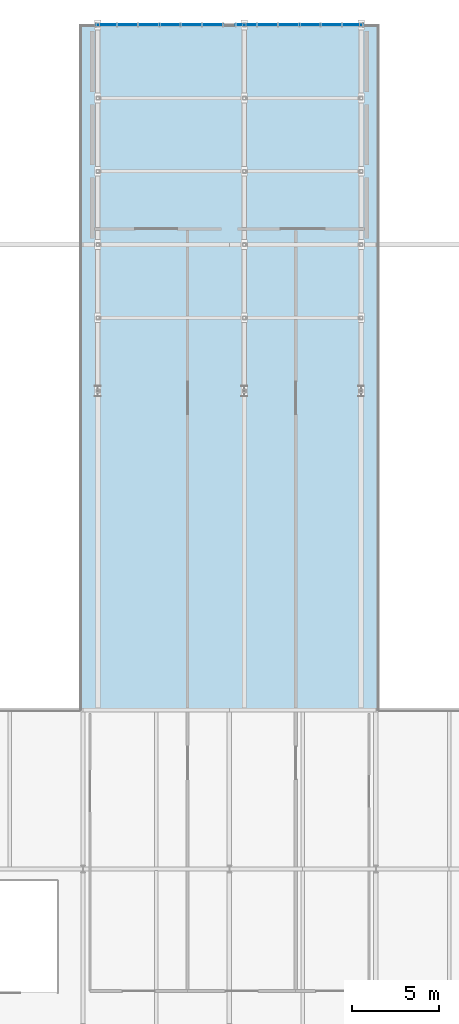
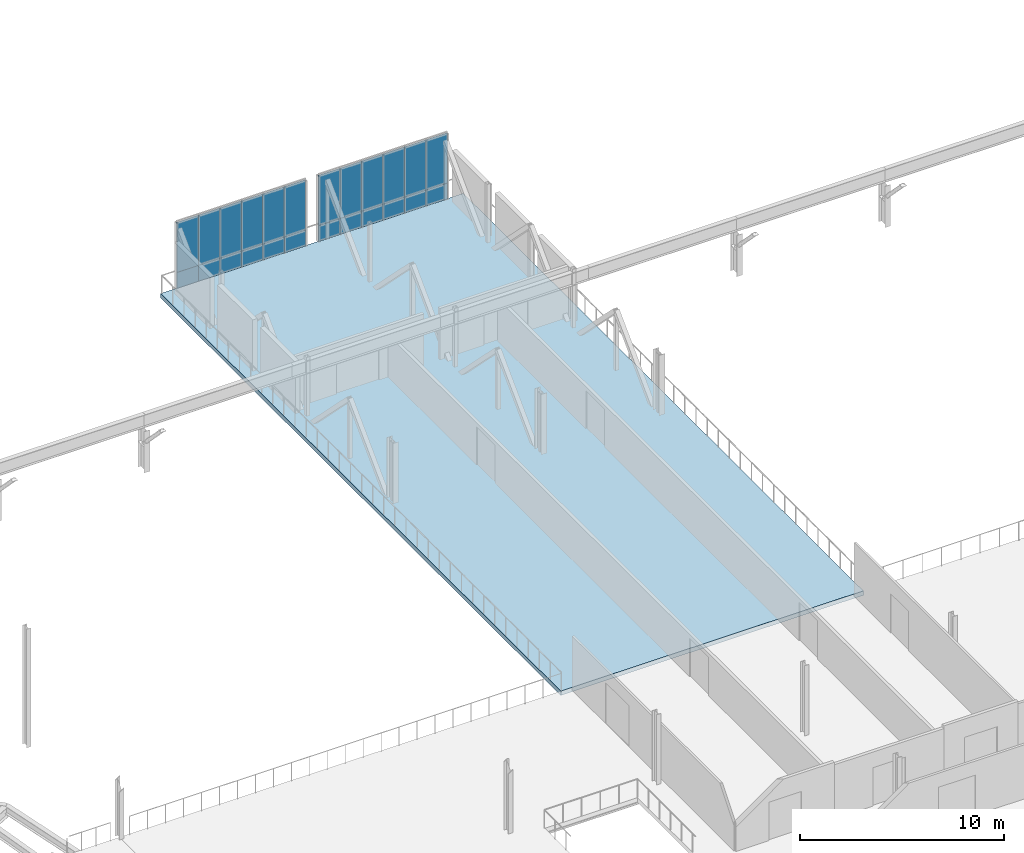
# One storey, part 79 of 107: 24 plates, 1 slab, 2 elements without a shape of their own.
"""IFC4 building model written with IfcOpenShell, lengths in metres."""

from ifc_helpers import new_model, si_unit, derived_unit, direction, frame, origin, origin_2d, place, context, subcontext, project, spatial, polyline, rectangle, outline, extrude, material, layer, layer_set, type_object, element, aggregate, save


model = new_model("IFC4")

# Units and contexts
model_context = context("Model", 3, precision=1e-05, world=origin(), true_north=direction((0.0, 1.0)))
body_context = subcontext(model_context, "Body", "Model", "MODEL_VIEW")
ifc_project = project(units=[si_unit("LENGTHUNIT", "METRE"), si_unit("AREAUNIT", "SQUARE_METRE"), si_unit("VOLUMEUNIT", "CUBIC_METRE"), si_unit("PLANEANGLEUNIT", "RADIAN"), si_unit("MASSUNIT", "GRAM", prefix="KILO"), derived_unit("THERMALTRANSMITTANCEUNIT", [(si_unit("MASSUNIT", "GRAM", prefix="KILO"), 1), (si_unit("TIMEUNIT", "SECOND"), -3), (si_unit("THERMODYNAMICTEMPERATUREUNIT", "KELVIN"), -1)])], contexts=[model_context])

# Site, building, storey
site_placement = place(None, origin())
site = spatial("IfcSite", under=ifc_project, at=site_placement, CompositionType="ELEMENT")
building_placement = place(site_placement, origin())
building = spatial("IfcBuilding", under=site, at=building_placement, Name="Makaiwela Harbour Ferry Terminal", CompositionType="ELEMENT")
storey_placement = place(building_placement, frame((0.0, 0.0, 9.60009765625)))
storey = spatial("IfcBuildingStorey", under=building, at=storey_placement, Name="L02", CompositionType="ELEMENT", Elevation=9.60009765625)

# Curtain wall, plates
ifc_material_1 = material(Name="Marine anodised aluminium 6063-T6", Category="aluminium")
ifc_layer_1 = layer(ifc_material_1, 0.199951171875)
ifc_layer_set_1 = layer_set([ifc_layer_1], Name="Marine anodised aluminium 6063-T6")
curtain_wall_type = type_object("IfcCurtainWallType", Name="ENV-CW-21", PredefinedType="USERDEFINED", material=ifc_layer_set_1)
curtain_wall_1_placement = place(storey_placement, origin())
curtain_wall_1 = element("IfcCurtainWall", 1, at=curtain_wall_1_placement, inside=storey, type_object=curtain_wall_type, Name="Unitised Curtain Wall CWA-134", ObjectType="UNITIZED CURTAIN WALL", PredefinedType="USERDEFINED")
ifc_material_2 = material(Name="Laminated hurricane-impact low-E insulated glazing", Category="glass")
ifc_layer_2 = layer(ifc_material_2, 0.031982421875)
ifc_layer_set_2 = layer_set([ifc_layer_2], Name="Laminated hurricane-impact low-E insulated glazing")
plate_type_1 = type_object("IfcPlateType", Name="CW-PNL-G26", PredefinedType="CURTAIN_PANEL", material=ifc_layer_set_2)
plate_1_placement = place(storey_placement, frame((89.539306640625, 116.0, 0.949951171875), z_axis=(0.0, 0.0, 1.0), x_axis=(1.0, 0.0, 0.0)))
plate_1 = element("IfcPlate", 2, at=plate_1_placement, type_object=plate_type_1, Name="Glazed Vision Panel CWA-134-1G", PredefinedType="CURTAIN_PANEL", context=body_context, shape_type="SweptSolid", body=[
    extrude(rectangle(XDim=1.21826171875, YDim=0.031982421875, at=origin_2d()), origin(), (0.0, 0.0, 1.0), 3.0),
])
plate_2_placement = place(storey_placement, frame((90.757568359375, 116.0, 0.949951171875), z_axis=(0.0, 0.0, 1.0), x_axis=(1.0, 0.0, 0.0)))
plate_2 = element("IfcPlate", 3, at=plate_2_placement, type_object=plate_type_1, Name="Glazed Vision Panel CWA-134-2G", PredefinedType="CURTAIN_PANEL", context=body_context, shape_type="SweptSolid", body=[
    extrude(rectangle(XDim=1.21826171875, YDim=0.031982421875, at=origin_2d()), origin(), (0.0, 0.0, 1.0), 3.0),
])
plate_3_placement = place(storey_placement, frame((91.975830078125, 116.0, 0.949951171875), z_axis=(0.0, 0.0, 1.0), x_axis=(1.0, 0.0, 0.0)))
plate_3 = element("IfcPlate", 4, at=plate_3_placement, type_object=plate_type_1, Name="Glazed Vision Panel CWA-134-3G", PredefinedType="CURTAIN_PANEL", context=body_context, shape_type="SweptSolid", body=[
    extrude(rectangle(XDim=1.21826171875, YDim=0.031982421875, at=origin_2d()), origin(), (0.0, 0.0, 1.0), 3.0),
])
plate_4_placement = place(storey_placement, frame((93.194091796875, 116.0, 0.949951171875), z_axis=(0.0, 0.0, 1.0), x_axis=(1.0, 0.0, 0.0)))
plate_4 = element("IfcPlate", 5, at=plate_4_placement, type_object=plate_type_1, Name="Glazed Vision Panel CWA-134-4G", PredefinedType="CURTAIN_PANEL", context=body_context, shape_type="SweptSolid", body=[
    extrude(rectangle(XDim=1.21826171875, YDim=0.031982421875, at=origin_2d()), origin(), (0.0, 0.0, 1.0), 3.0),
])
plate_5_placement = place(storey_placement, frame((94.41259765625, 116.0, 0.949951171875), z_axis=(0.0, 0.0, 1.0), x_axis=(1.0, 0.0, 0.0)))
plate_5 = element("IfcPlate", 6, at=plate_5_placement, type_object=plate_type_1, Name="Glazed Vision Panel CWA-134-5G", PredefinedType="CURTAIN_PANEL", context=body_context, shape_type="SweptSolid", body=[
    extrude(rectangle(XDim=1.21826171875, YDim=0.031982421875, at=origin_2d()), origin(), (0.0, 0.0, 1.0), 3.0),
])
plate_6_placement = place(storey_placement, frame((95.630859375, 116.0, 0.949951171875), z_axis=(0.0, 0.0, 1.0), x_axis=(1.0, 0.0, 0.0)))
plate_6 = element("IfcPlate", 7, at=plate_6_placement, type_object=plate_type_1, Name="Glazed Vision Panel CWA-134-6G", PredefinedType="CURTAIN_PANEL", context=body_context, shape_type="SweptSolid", body=[
    extrude(rectangle(XDim=1.21826171875, YDim=0.031982421875, at=origin_2d()), origin(), (0.0, 0.0, 1.0), 3.0),
])

curtain_wall_2_placement = place(storey_placement, origin())
curtain_wall_2 = element("IfcCurtainWall", 8, at=curtain_wall_2_placement, inside=storey, type_object=curtain_wall_type, Name="Unitised Curtain Wall CWA-135", ObjectType="UNITIZED CURTAIN WALL", PredefinedType="USERDEFINED")
plate_7_placement = place(storey_placement, frame((97.569091796875, 116.0, 0.949951171875), z_axis=(0.0, 0.0, 1.0), x_axis=(1.0, 0.0, 0.0)))
plate_7 = element("IfcPlate", 9, at=plate_7_placement, type_object=plate_type_1, Name="Glazed Vision Panel CWA-135-1G", PredefinedType="CURTAIN_PANEL", context=body_context, shape_type="SweptSolid", body=[
    extrude(rectangle(XDim=1.21826171875, YDim=0.031982421875, at=origin_2d()), origin(), (0.0, 0.0, 1.0), 3.0),
])
plate_8_placement = place(storey_placement, frame((98.78759765625, 116.0, 0.949951171875), z_axis=(0.0, 0.0, 1.0), x_axis=(1.0, 0.0, 0.0)))
plate_8 = element("IfcPlate", 10, at=plate_8_placement, type_object=plate_type_1, Name="Glazed Vision Panel CWA-135-2G", PredefinedType="CURTAIN_PANEL", context=body_context, shape_type="SweptSolid", body=[
    extrude(rectangle(XDim=1.21826171875, YDim=0.031982421875, at=origin_2d()), origin(), (0.0, 0.0, 1.0), 3.0),
])
plate_9_placement = place(storey_placement, frame((100.005859375, 116.0, 0.949951171875), z_axis=(0.0, 0.0, 1.0), x_axis=(1.0, 0.0, 0.0)))
plate_9 = element("IfcPlate", 11, at=plate_9_placement, type_object=plate_type_1, Name="Glazed Vision Panel CWA-135-3G", PredefinedType="CURTAIN_PANEL", context=body_context, shape_type="SweptSolid", body=[
    extrude(rectangle(XDim=1.21826171875, YDim=0.031982421875, at=origin_2d()), origin(), (0.0, 0.0, 1.0), 3.0),
])
plate_10_placement = place(storey_placement, frame((101.22412109375, 116.0, 0.949951171875), z_axis=(0.0, 0.0, 1.0), x_axis=(1.0, 0.0, 0.0)))
plate_10 = element("IfcPlate", 12, at=plate_10_placement, type_object=plate_type_1, Name="Glazed Vision Panel CWA-135-4G", PredefinedType="CURTAIN_PANEL", context=body_context, shape_type="SweptSolid", body=[
    extrude(rectangle(XDim=1.21826171875, YDim=0.031982421875, at=origin_2d()), origin(), (0.0, 0.0, 1.0), 3.0),
])
plate_11_placement = place(storey_placement, frame((102.4423828125, 116.0, 0.949951171875), z_axis=(0.0, 0.0, 1.0), x_axis=(1.0, 0.0, 0.0)))
plate_11 = element("IfcPlate", 13, at=plate_11_placement, type_object=plate_type_1, Name="Glazed Vision Panel CWA-135-5G", PredefinedType="CURTAIN_PANEL", context=body_context, shape_type="SweptSolid", body=[
    extrude(rectangle(XDim=1.21826171875, YDim=0.031982421875, at=origin_2d()), origin(), (0.0, 0.0, 1.0), 3.0),
])
plate_12_placement = place(storey_placement, frame((103.660888671875, 116.0, 0.949951171875), z_axis=(0.0, 0.0, 1.0), x_axis=(1.0, 0.0, 0.0)))
plate_12 = element("IfcPlate", 14, at=plate_12_placement, type_object=plate_type_1, Name="Glazed Vision Panel CWA-135-6G", PredefinedType="CURTAIN_PANEL", context=body_context, shape_type="SweptSolid", body=[
    extrude(rectangle(XDim=1.21826171875, YDim=0.031982421875, at=origin_2d()), origin(), (0.0, 0.0, 1.0), 3.0),
])

# Plate
ifc_material_3 = material(Name="Insulated marine aluminium spandrel panel", Category="aluminium")
ifc_layer_3 = layer(ifc_material_3, 0.048095703125)
ifc_layer_set_3 = layer_set([ifc_layer_3], Name="Insulated marine aluminium spandrel panel")
plate_type_2 = type_object("IfcPlateType", Name="CW-PNL-S11", PredefinedType="CURTAIN_PANEL", material=ifc_layer_set_3)
plate_13_placement = place(storey_placement, frame((89.539306640625, 116.0, 0.0), z_axis=(0.0, 0.0, 1.0), x_axis=(1.0, 0.0, 0.0)))
plate_13 = element("IfcPlate", 15, at=plate_13_placement, type_object=plate_type_2, Name="Spandrel Panel CWA-134-1S", PredefinedType="CURTAIN_PANEL", context=body_context, shape_type="SweptSolid", body=[
    extrude(rectangle(XDim=1.21826171875, YDim=0.048095703125, at=origin_2d()), origin(), (0.0, 0.0, 1.0), 0.949951171875),
])

plate_14_placement = place(storey_placement, frame((90.757568359375, 116.0, 0.0), z_axis=(0.0, 0.0, 1.0), x_axis=(1.0, 0.0, 0.0)))
plate_14 = element("IfcPlate", 16, at=plate_14_placement, type_object=plate_type_2, Name="Spandrel Panel CWA-134-2S", PredefinedType="CURTAIN_PANEL", context=body_context, shape_type="SweptSolid", body=[
    extrude(rectangle(XDim=1.21826171875, YDim=0.048095703125, at=origin_2d()), origin(), (0.0, 0.0, 1.0), 0.949951171875),
])

plate_15_placement = place(storey_placement, frame((91.975830078125, 116.0, 0.0), z_axis=(0.0, 0.0, 1.0), x_axis=(1.0, 0.0, 0.0)))
plate_15 = element("IfcPlate", 17, at=plate_15_placement, type_object=plate_type_2, Name="Spandrel Panel CWA-134-3S", PredefinedType="CURTAIN_PANEL", context=body_context, shape_type="SweptSolid", body=[
    extrude(rectangle(XDim=1.21826171875, YDim=0.048095703125, at=origin_2d()), origin(), (0.0, 0.0, 1.0), 0.949951171875),
])

plate_16_placement = place(storey_placement, frame((93.194091796875, 116.0, 0.0), z_axis=(0.0, 0.0, 1.0), x_axis=(1.0, 0.0, 0.0)))
plate_16 = element("IfcPlate", 18, at=plate_16_placement, type_object=plate_type_2, Name="Spandrel Panel CWA-134-4S", PredefinedType="CURTAIN_PANEL", context=body_context, shape_type="SweptSolid", body=[
    extrude(rectangle(XDim=1.21826171875, YDim=0.048095703125, at=origin_2d()), origin(), (0.0, 0.0, 1.0), 0.949951171875),
])

plate_17_placement = place(storey_placement, frame((94.41259765625, 116.0, 0.0), z_axis=(0.0, 0.0, 1.0), x_axis=(1.0, 0.0, 0.0)))
plate_17 = element("IfcPlate", 19, at=plate_17_placement, type_object=plate_type_2, Name="Spandrel Panel CWA-134-5S", PredefinedType="CURTAIN_PANEL", context=body_context, shape_type="SweptSolid", body=[
    extrude(rectangle(XDim=1.21826171875, YDim=0.048095703125, at=origin_2d()), origin(), (0.0, 0.0, 1.0), 0.949951171875),
])

plate_18_placement = place(storey_placement, frame((95.630859375, 116.0, 0.0), z_axis=(0.0, 0.0, 1.0), x_axis=(1.0, 0.0, 0.0)))
plate_18 = element("IfcPlate", 20, at=plate_18_placement, type_object=plate_type_2, Name="Spandrel Panel CWA-134-6S", PredefinedType="CURTAIN_PANEL", context=body_context, shape_type="SweptSolid", body=[
    extrude(rectangle(XDim=1.21826171875, YDim=0.048095703125, at=origin_2d()), origin(), (0.0, 0.0, 1.0), 0.949951171875),
])

aggregate(curtain_wall_1, [plate_13, plate_1, plate_14, plate_2, plate_15, plate_3, plate_16, plate_4, plate_17, plate_5, plate_18, plate_6])

plate_19_placement = place(storey_placement, frame((97.569091796875, 116.0, 0.0), z_axis=(0.0, 0.0, 1.0), x_axis=(1.0, 0.0, 0.0)))
plate_19 = element("IfcPlate", 21, at=plate_19_placement, type_object=plate_type_2, Name="Spandrel Panel CWA-135-1S", PredefinedType="CURTAIN_PANEL", context=body_context, shape_type="SweptSolid", body=[
    extrude(rectangle(XDim=1.21826171875, YDim=0.048095703125, at=origin_2d()), origin(), (0.0, 0.0, 1.0), 0.949951171875),
])

plate_20_placement = place(storey_placement, frame((98.78759765625, 116.0, 0.0), z_axis=(0.0, 0.0, 1.0), x_axis=(1.0, 0.0, 0.0)))
plate_20 = element("IfcPlate", 22, at=plate_20_placement, type_object=plate_type_2, Name="Spandrel Panel CWA-135-2S", PredefinedType="CURTAIN_PANEL", context=body_context, shape_type="SweptSolid", body=[
    extrude(rectangle(XDim=1.21826171875, YDim=0.048095703125, at=origin_2d()), origin(), (0.0, 0.0, 1.0), 0.949951171875),
])

plate_21_placement = place(storey_placement, frame((100.005859375, 116.0, 0.0), z_axis=(0.0, 0.0, 1.0), x_axis=(1.0, 0.0, 0.0)))
plate_21 = element("IfcPlate", 23, at=plate_21_placement, type_object=plate_type_2, Name="Spandrel Panel CWA-135-3S", PredefinedType="CURTAIN_PANEL", context=body_context, shape_type="SweptSolid", body=[
    extrude(rectangle(XDim=1.21826171875, YDim=0.048095703125, at=origin_2d()), origin(), (0.0, 0.0, 1.0), 0.949951171875),
])

plate_22_placement = place(storey_placement, frame((101.22412109375, 116.0, 0.0), z_axis=(0.0, 0.0, 1.0), x_axis=(1.0, 0.0, 0.0)))
plate_22 = element("IfcPlate", 24, at=plate_22_placement, type_object=plate_type_2, Name="Spandrel Panel CWA-135-4S", PredefinedType="CURTAIN_PANEL", context=body_context, shape_type="SweptSolid", body=[
    extrude(rectangle(XDim=1.21826171875, YDim=0.048095703125, at=origin_2d()), origin(), (0.0, 0.0, 1.0), 0.949951171875),
])

plate_23_placement = place(storey_placement, frame((102.4423828125, 116.0, 0.0), z_axis=(0.0, 0.0, 1.0), x_axis=(1.0, 0.0, 0.0)))
plate_23 = element("IfcPlate", 25, at=plate_23_placement, type_object=plate_type_2, Name="Spandrel Panel CWA-135-5S", PredefinedType="CURTAIN_PANEL", context=body_context, shape_type="SweptSolid", body=[
    extrude(rectangle(XDim=1.21826171875, YDim=0.048095703125, at=origin_2d()), origin(), (0.0, 0.0, 1.0), 0.949951171875),
])

plate_24_placement = place(storey_placement, frame((103.660888671875, 116.0, 0.0), z_axis=(0.0, 0.0, 1.0), x_axis=(1.0, 0.0, 0.0)))
plate_24 = element("IfcPlate", 26, at=plate_24_placement, type_object=plate_type_2, Name="Spandrel Panel CWA-135-6S", PredefinedType="CURTAIN_PANEL", context=body_context, shape_type="SweptSolid", body=[
    extrude(rectangle(XDim=1.21826171875, YDim=0.048095703125, at=origin_2d()), origin(), (0.0, 0.0, 1.0), 0.949951171875),
])

aggregate(curtain_wall_2, [plate_19, plate_7, plate_20, plate_8, plate_21, plate_9, plate_22, plate_10, plate_23, plate_11, plate_24, plate_12])

# Slab
ifc_material_4 = material(Name="Concrete f'c 35 MPa (5000 psi)", Category="concrete")
ifc_layer_4 = layer(ifc_material_4, 0.260009765625)
ifc_layer_set_4 = layer_set([ifc_layer_4], Name="Concrete f'c 35 MPa (5000 psi)")
slab_type = type_object("IfcSlabType", Name="SLB-FLR-260", PredefinedType="FLOOR", material=ifc_layer_set_4)
slab_placement = place(storey_placement, frame((0.0, 0.0, -0.260009765625)))
element("IfcSlab", 27, at=slab_placement, inside=storey, type_object=slab_type, Name="Slab SLB-032", PredefinedType="FLOOR", context=body_context, shape_type="SweptSolid", body=[
    extrude(outline(polyline([(88.02001953125, 76.701904296875), (105.179931640625, 76.701904296875), (105.179931640625, 116.0), (88.02001953125, 116.0), (88.02001953125, 76.701904296875)])), origin(), (0.0, 0.0, 1.0), 0.260009765625),
])

save(model, "model.ifc")
